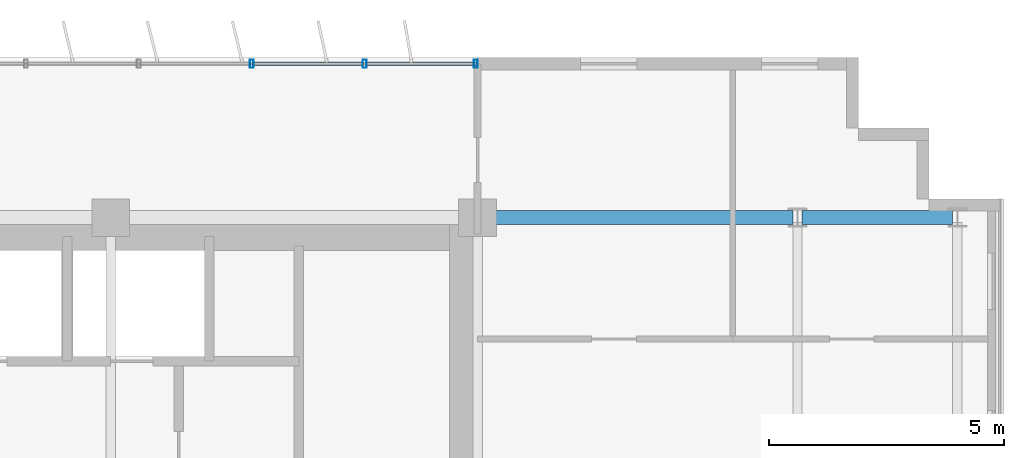
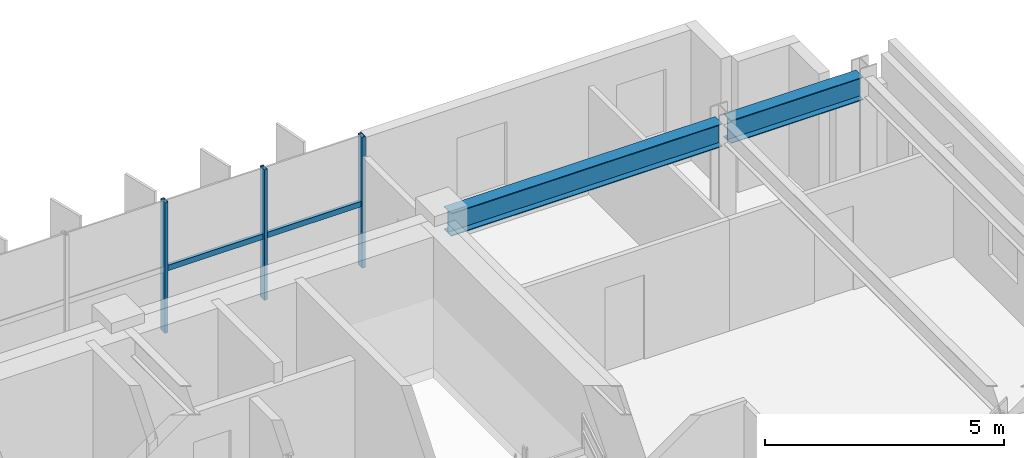
# One storey, part 11 of 22: 5 members, 2 beams, 1 element without a shape of its own.
"""IFC4 building model written with IfcOpenShell, lengths in metres."""

from ifc_helpers import new_model, si_unit, direction, frame, origin, origin_2d, place, context, subcontext, project, spatial, hollow_rectangle, i_section, extrude, source, transform, mapped, material, material_profile, profile_set, type_object, element, aggregate, save


model = new_model("IFC4")

# Units and contexts
model_context = context("Model", 3, precision=1e-05, world=origin(), true_north=direction((0.0, 1.0)))
body_context = subcontext(model_context, "Body", "Model", "MODEL_VIEW")
ifc_project = project(units=[si_unit("LENGTHUNIT", "METRE"), si_unit("AREAUNIT", "SQUARE_METRE"), si_unit("VOLUMEUNIT", "CUBIC_METRE"), si_unit("PLANEANGLEUNIT", "RADIAN"), si_unit("MASSUNIT", "GRAM", prefix="KILO")], contexts=[model_context])

# Site, building, storey
site_placement = place(None, origin())
site = spatial("IfcSite", under=ifc_project, at=site_placement, CompositionType="ELEMENT")
building_placement = place(site_placement, origin())
building = spatial("IfcBuilding", under=site, at=building_placement, Name="Trelvane Seafront Commons", CompositionType="ELEMENT")
storey_placement = place(building_placement, frame((0.0, 0.0, 117.699951171875)))
storey = spatial("IfcBuildingStorey", under=building, at=storey_placement, Name="L30", CompositionType="ELEMENT", Elevation=117.699951171875)

# Beams
ifc_material_1 = material(Name="Steel SM355 (S355)", Category="steel")
ifc_material_profile_1 = material_profile(ifc_material_1, i_section(OverallWidth=0.300048828125, OverallDepth=0.587890625, WebThickness=0.011962890625, FlangeThickness=0.02001953125, at=origin_2d()), Name="H-588x300x12x20")
ifc_profile_set_1 = profile_set([ifc_material_profile_1], Name="Steel SM355 (S355)")
beam_type = type_object("IfcBeamType", Name="STR-BM-H588", PredefinedType="BEAM", material=ifc_profile_set_1)
shared_shape_1 = source(origin(), body_context, "Body", "SweptSolid", [
    extrude(i_section(OverallWidth=0.300048828125, OverallDepth=0.587890625, WebThickness=0.011962890625, FlangeThickness=0.02001953125, at=origin_2d()), origin(), (0.0, 0.0, 1.0), 3.199951171875),
])
beam_1_placement = place(storey_placement, frame((65.699951171875, 45.10009765625, 3.046142578125), z_axis=(1.0, 0.0, 0.0), x_axis=(0.0, 1.0, 0.0)))
element("IfcBeam", 1, at=beam_1_placement, inside=storey, type_object=beam_type, Name="L30 Primary Girder G-36", PredefinedType="BEAM", context=body_context, shape_type="MappedRepresentation", body=[
    mapped(shared_shape_1, transform((0.0, 0.0, 0.0), x_axis=(1.0, 0.0, 0.0), y_axis=(0.0, 1.0, 0.0), z_axis=(0.0, 0.0, 1.0), scale=1.0)),
])
shared_shape_2 = source(origin(), body_context, "Body", "SweptSolid", [
    extrude(i_section(OverallWidth=0.300048828125, OverallDepth=0.587890625, WebThickness=0.011962890625, FlangeThickness=0.02001953125, at=origin_2d()), origin(), (0.0, 0.0, 1.0), 6.550048828125),
])
beam_2_placement = place(storey_placement, frame((58.949951171875, 45.10009765625, 3.046142578125), z_axis=(1.0, 0.0, 0.0), x_axis=(0.0, 1.0, 0.0)))
element("IfcBeam", 2, at=beam_2_placement, inside=storey, type_object=beam_type, Name="L30 Primary Girder G-35", PredefinedType="BEAM", context=body_context, shape_type="MappedRepresentation", body=[
    mapped(shared_shape_2, transform((0.0, 0.0, 0.0), x_axis=(1.0, 0.0, 0.0), y_axis=(0.0, 1.0, 0.0), z_axis=(0.0, 0.0, 1.0), scale=1.0)),
])

# Curtain wall, members
ifc_material_2 = material(Name="Anodised pale-silver aluminium", Category="aluminium")
curtain_wall_type = type_object("IfcCurtainWallType", Name="ARCH-CW4-SKYLOBBY", PredefinedType="NOTDEFINED", material=ifc_material_2)
curtain_wall_placement = place(storey_placement, origin())
curtain_wall = element("IfcCurtainWall", 3, at=curtain_wall_placement, inside=storey, type_object=curtain_wall_type, Name="CW-L30-0055", PredefinedType="NOTDEFINED")
ifc_material_profile_2 = material_profile(ifc_material_2, hollow_rectangle(XDim=0.074951171875, YDim=0.139892578125, WallThickness=0.00390625, at=origin_2d()), Name="TRAN-75x140x4")
ifc_profile_set_2 = profile_set([ifc_material_profile_2], Name="Anodised pale-silver aluminium")
member_type_1 = type_object("IfcMemberType", Name="ARCH-CW-TRAN-140", PredefinedType="USERDEFINED", material=ifc_profile_set_2)
shared_shape_3 = source(origin(), body_context, "Body", "SweptSolid", [
    extrude(hollow_rectangle(XDim=0.074951171875, YDim=0.139892578125, WallThickness=0.00390625, at=origin_2d()), origin(), (0.0, 0.0, 1.0), 2.3759765625),
])
member_1_placement = place(storey_placement, frame((54.011962890625, 48.3701171875, 1.60302734375), z_axis=(1.0, 0.0, 0.0), x_axis=(0.0, 1.0, 0.0)))
member_1 = element("IfcMember", 4, at=member_1_placement, type_object=member_type_1, Name="CW-L30-0055-T16", ObjectType="TRANSOM", PredefinedType="USERDEFINED", context=body_context, shape_type="MappedRepresentation", body=[
    mapped(shared_shape_3, transform((0.0, 0.0, 0.0), x_axis=(1.0, 0.0, 0.0), y_axis=(0.0, 1.0, 0.0), z_axis=(0.0, 0.0, 1.0), scale=1.0)),
])
member_2_placement = place(storey_placement, frame((56.412109375, 48.3701171875, 1.60302734375), z_axis=(1.0, 0.0, 0.0), x_axis=(0.0, 1.0, 0.0)))
member_2 = element("IfcMember", 5, at=member_2_placement, type_object=member_type_1, Name="CW-L30-0055-T17", ObjectType="TRANSOM", PredefinedType="USERDEFINED", context=body_context, shape_type="MappedRepresentation", body=[
    mapped(shared_shape_3, transform((0.0, 0.0, 0.0), x_axis=(1.0, 0.0, 0.0), y_axis=(0.0, 1.0, 0.0), z_axis=(0.0, 0.0, 1.0), scale=1.0)),
])
ifc_material_profile_3 = material_profile(ifc_material_2, hollow_rectangle(XDim=0.080078125, YDim=0.179931640625, WallThickness=0.00439453125, at=origin_2d()), Name="MULL-80x180x4.5")
ifc_profile_set_3 = profile_set([ifc_material_profile_3], Name="Anodised pale-silver aluminium")
member_type_2 = type_object("IfcMemberType", Name="ARCH-CW-MULL-180", PredefinedType="MULLION", material=ifc_profile_set_3)
shared_shape_4 = source(origin(), body_context, "Body", "SweptSolid", [
    extrude(hollow_rectangle(XDim=0.080078125, YDim=0.179931640625, WallThickness=0.00439453125, at=origin_2d()), origin(), (0.0, 0.0, 1.0), 3.340087890625),
])
member_3_placement = place(storey_placement, frame((54.0, 48.3701171875, 0.0), z_axis=(0.0, 0.0, 1.0), x_axis=(1.0, 0.0, 0.0)))
member_3 = element("IfcMember", 6, at=member_3_placement, type_object=member_type_2, Name="CW-L30-0055-M16", PredefinedType="MULLION", context=body_context, shape_type="MappedRepresentation", body=[
    mapped(shared_shape_4, transform((0.0, 0.0, 0.0), x_axis=(1.0, 0.0, 0.0), y_axis=(0.0, 1.0, 0.0), z_axis=(0.0, 0.0, 1.0), scale=1.0)),
])
member_4_placement = place(storey_placement, frame((56.39990234375, 48.3701171875, 0.0), z_axis=(0.0, 0.0, 1.0), x_axis=(1.0, 0.0, 0.0)))
member_4 = element("IfcMember", 7, at=member_4_placement, type_object=member_type_2, Name="CW-L30-0055-M17", PredefinedType="MULLION", context=body_context, shape_type="MappedRepresentation", body=[
    mapped(shared_shape_4, transform((0.0, 0.0, 0.0), x_axis=(1.0, 0.0, 0.0), y_axis=(0.0, 1.0, 0.0), z_axis=(0.0, 0.0, 1.0), scale=1.0)),
])
member_5_placement = place(storey_placement, frame((58.760009765625, 48.3701171875, 0.0), z_axis=(0.0, 0.0, 1.0), x_axis=(1.0, 0.0, 0.0)))
member_5 = element("IfcMember", 8, at=member_5_placement, type_object=member_type_2, Name="CW-L30-0055-M18", PredefinedType="MULLION", context=body_context, shape_type="MappedRepresentation", body=[
    mapped(shared_shape_4, transform((0.0, 0.0, 0.0), x_axis=(1.0, 0.0, 0.0), y_axis=(0.0, 1.0, 0.0), z_axis=(0.0, 0.0, 1.0), scale=1.0)),
])
aggregate(curtain_wall, [member_3, member_4, member_5, member_1, member_2])

save(model, "model.ifc")
